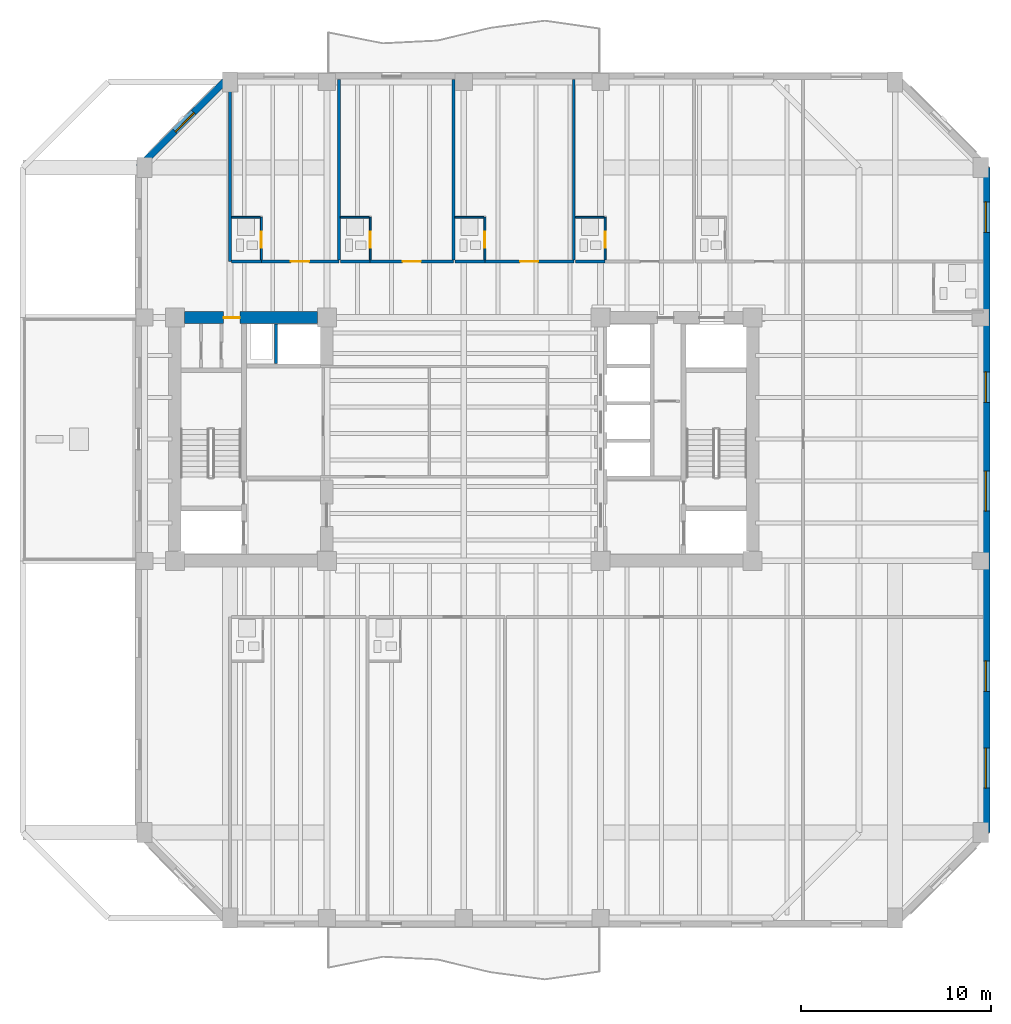
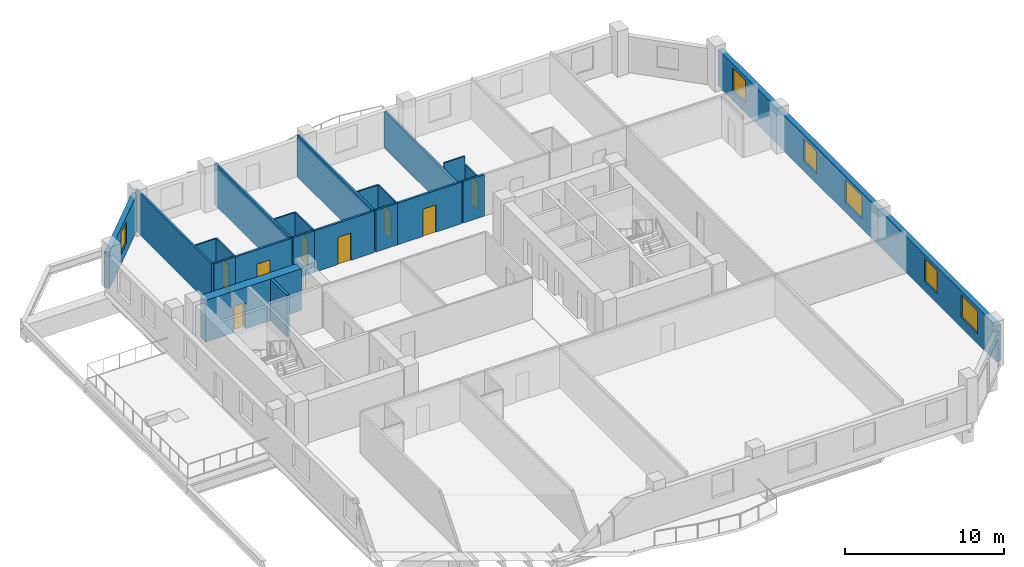
# One storey, part 5 of 11: 23 walls, 8 doors, 6 windows, 14 openings.
"""IFC4 building model written with IfcOpenShell, lengths in metres."""

from ifc_helpers import new_model, si_unit, direction, frame, frame_2d, origin, place, context, subcontext, project, spatial, rectangle, extrude, material, layer, layer_set, type_object, element, fill, save


model = new_model("IFC4")

# Units and contexts
model_context = context("Model", 3, precision=1e-05, world=origin(), true_north=direction((0.0, 1.0)))
body_context = subcontext(model_context, "Body", "Model", "MODEL_VIEW")
ifc_project = project(units=[si_unit("LENGTHUNIT", "METRE"), si_unit("AREAUNIT", "SQUARE_METRE"), si_unit("VOLUMEUNIT", "CUBIC_METRE"), si_unit("PLANEANGLEUNIT", "RADIAN"), si_unit("MASSUNIT", "GRAM", prefix="KILO")], contexts=[model_context])

# Site, building, storey
site_placement = place(None, origin())
site = spatial("IfcSite", under=ifc_project, at=site_placement, CompositionType="ELEMENT")
building_placement = place(site_placement, origin())
building = spatial("IfcBuilding", under=site, at=building_placement, Name="Kranthara Brick Stack", CompositionType="ELEMENT")
storey_placement = place(building_placement, frame((0.0, 0.0, 141.300048828125)))
storey = spatial("IfcBuildingStorey", under=building, at=storey_placement, Name="L35", CompositionType="ELEMENT", Elevation=141.300048828125)

# Wall, opening, window
ifc_material_1 = material(Name="Kiln-fired clay brick masonry M15", Category="masonry")
ifc_layer_1 = layer(ifc_material_1, 0.35009765625)
ifc_layer_set_1 = layer_set([ifc_layer_1], Name="Kiln-fired clay brick masonry M15")
wall_type_1 = type_object("IfcWallType", Name="WL-BRK-SPND-350", PredefinedType="STANDARD", material=ifc_layer_set_1)
wall_1_placement = place(storey_placement, frame((10.89501953125, 41.5, 0.0), z_axis=(0.0, 0.0, 1.0), x_axis=(0.707106781187, 0.707106781187, 0.0)))
wall_1 = element("IfcWall", 1, at=wall_1_placement, inside=storey, type_object=wall_type_1, Name="L35 Exterior Brick Facade Wall NW 1", PredefinedType="STANDARD", context=body_context, shape_type="SweptSolid", body=[
    extrude(rectangle(XDim=6.795166015625, YDim=0.35009765625, at=frame_2d((3.3974609375, 0.0))), origin(), (0.0, 0.0, 1.0), 2.784912109375),
])
opening_1_placement = place(wall_1_placement, frame((2.697998046875, 0.0, 0.75)))
opening_1 = element("IfcOpeningElement", 2, at=opening_1_placement, cuts=wall_1, Name="Opening WN10", PredefinedType="OPENING", context=body_context, shape_type="SweptSolid", body=[
    extrude(rectangle(XDim=1.39990234375, YDim=1.64990234375, at=frame_2d((0.699951171875, 0.824951171875))), frame((0.0, 0.18505859375, 0.0), z_axis=(0.0, -1.0, 0.0), x_axis=(1.0, 0.0, 0.0)), (0.0, 0.0, 1.0), 0.3701171875),
])
ifc_material_2 = material(Name="Double-glazed low-E solar control glass", Category="glass")
window_type_1 = type_object("IfcWindowType", Name="WN-CHM-1400x1750", PartitioningType="SINGLE_PANEL", PredefinedType="WINDOW", material=ifc_material_2)
window_1_placement = place(opening_1_placement, origin())
window_1 = element("IfcWindow", 3, at=window_1_placement, inside=storey, type_object=window_type_1, Name="L35 NW Chamfer Corner Window", OverallHeight=1.64990234375, OverallWidth=1.39990234375, PartitioningType="SINGLE_PANEL", PredefinedType="WINDOW", context=body_context, shape_type="SweptSolid", body=[
    extrude(rectangle(XDim=1.39990234375, YDim=1.64990234375, at=frame_2d((0.699951171875, 0.824951171875))), frame((0.0, -0.010009765625, 0.0), z_axis=(0.0, -1.0, 0.0), x_axis=(1.0, 0.0, 0.0)), (0.0, 0.0, 1.0), 0.06005859375),
])
fill(opening_1, window_1)

# Wall, openings, windows
wall_2_placement = place(storey_placement, frame((55.5048828125, 41.5, 0.0), z_axis=(0.0, 0.0, 1.0), x_axis=(0.0, -1.0, 0.0)))
wall_2 = element("IfcWall", 4, at=wall_2_placement, inside=storey, type_object=wall_type_1, Name="L35 Exterior Brick Facade Wall EAST 1", PredefinedType="STANDARD", context=body_context, shape_type="SweptSolid", body=[
    extrude(rectangle(XDim=35.0, YDim=0.35009765625, at=frame_2d((17.5, 0.0))), origin(), (0.0, 0.0, 1.0), 2.784912109375),
])
opening_2_placement = place(wall_2_placement, frame((1.81298828125, 0.0, 0.75)))
opening_2 = element("IfcOpeningElement", 5, at=opening_2_placement, cuts=wall_2, Name="Opening WN04", PredefinedType="OPENING", context=body_context, shape_type="SweptSolid", body=[
    extrude(rectangle(XDim=1.60009765625, YDim=1.75, at=frame_2d((0.800048828125, 0.875))), frame((0.0, 0.18505859375, 0.0), z_axis=(0.0, -1.0, 0.0), x_axis=(1.0, 0.0, 0.0)), (0.0, 0.0, 1.0), 0.3701171875),
])
opening_3_placement = place(wall_2_placement, frame((10.763916015625, 0.0, 0.75)))
opening_3 = element("IfcOpeningElement", 6, at=opening_3_placement, cuts=wall_2, Name="Opening WN04", PredefinedType="OPENING", context=body_context, shape_type="SweptSolid", body=[
    extrude(rectangle(XDim=1.60009765625, YDim=1.75, at=frame_2d((0.800048828125, 0.875))), frame((0.0, 0.18505859375, 0.0), z_axis=(0.0, -1.0, 0.0), x_axis=(1.0, 0.0, 0.0)), (0.0, 0.0, 1.0), 0.3701171875),
])
opening_4_placement = place(wall_2_placement, frame((15.986083984375, 0.0, 0.75)))
opening_4 = element("IfcOpeningElement", 7, at=opening_4_placement, cuts=wall_2, Name="Opening WN05", PredefinedType="OPENING", context=body_context, shape_type="SweptSolid", body=[
    extrude(rectangle(XDim=2.10009765625, YDim=1.75, at=frame_2d((1.050048828125, 0.875))), frame((0.0, 0.18505859375, 0.0), z_axis=(0.0, -1.0, 0.0), x_axis=(1.0, 0.0, 0.0)), (0.0, 0.0, 1.0), 0.3701171875),
])
opening_5_placement = place(wall_2_placement, frame((25.969970703125, 0.0, 0.75)))
opening_5 = element("IfcOpeningElement", 8, at=opening_5_placement, cuts=wall_2, Name="Opening WN04", PredefinedType="OPENING", context=body_context, shape_type="SweptSolid", body=[
    extrude(rectangle(XDim=1.60009765625, YDim=1.75, at=frame_2d((0.800048828125, 0.875))), frame((0.0, 0.18505859375, 0.0), z_axis=(0.0, -1.0, 0.0), x_axis=(1.0, 0.0, 0.0)), (0.0, 0.0, 1.0), 0.3701171875),
])
opening_6_placement = place(wall_2_placement, frame((30.554931640625, 0.0, 0.75)))
opening_6 = element("IfcOpeningElement", 9, at=opening_6_placement, cuts=wall_2, Name="Opening WN05", PredefinedType="OPENING", context=body_context, shape_type="SweptSolid", body=[
    extrude(rectangle(XDim=2.10009765625, YDim=1.75, at=frame_2d((1.050048828125, 0.875))), frame((0.0, 0.18505859375, 0.0), z_axis=(0.0, -1.0, 0.0), x_axis=(1.0, 0.0, 0.0)), (0.0, 0.0, 1.0), 0.3701171875),
])
ifc_material_3 = material(Name="Double-glazed low-E solar control glass", Category="glass")
window_type_2 = type_object("IfcWindowType", Name="WN-HTL-1600x1850", PartitioningType="DOUBLE_PANEL_VERTICAL", PredefinedType="WINDOW", material=ifc_material_3)
window_2_placement = place(opening_2_placement, origin())
window_2 = element("IfcWindow", 10, at=window_2_placement, inside=storey, type_object=window_type_2, Name="L35 East Deep-Set Brick Window 01", OverallHeight=1.75, OverallWidth=1.60009765625, PartitioningType="SINGLE_PANEL", PredefinedType="WINDOW", context=body_context, shape_type="SweptSolid", body=[
    extrude(rectangle(XDim=1.60009765625, YDim=1.75, at=frame_2d((0.800048828125, 0.875))), frame((0.0, -0.010009765625, 0.0), z_axis=(0.0, -1.0, 0.0), x_axis=(1.0, 0.0, 0.0)), (0.0, 0.0, 1.0), 0.06005859375),
])
fill(opening_2, window_2)
window_3_placement = place(opening_3_placement, origin())
window_3 = element("IfcWindow", 11, at=window_3_placement, inside=storey, type_object=window_type_2, Name="L35 East Deep-Set Brick Window 02", OverallHeight=1.75, OverallWidth=1.60009765625, PartitioningType="SINGLE_PANEL", PredefinedType="WINDOW", context=body_context, shape_type="SweptSolid", body=[
    extrude(rectangle(XDim=1.60009765625, YDim=1.75, at=frame_2d((0.800048828125, 0.875))), frame((0.0, -0.010009765625, 0.0), z_axis=(0.0, -1.0, 0.0), x_axis=(1.0, 0.0, 0.0)), (0.0, 0.0, 1.0), 0.06005859375),
])
fill(opening_3, window_3)
window_4_placement = place(opening_5_placement, origin())
window_4 = element("IfcWindow", 12, at=window_4_placement, inside=storey, type_object=window_type_2, Name="L35 East Deep-Set Brick Window 04", OverallHeight=1.75, OverallWidth=1.60009765625, PartitioningType="SINGLE_PANEL", PredefinedType="WINDOW", context=body_context, shape_type="SweptSolid", body=[
    extrude(rectangle(XDim=1.60009765625, YDim=1.75, at=frame_2d((0.800048828125, 0.875))), frame((0.0, -0.010009765625, 0.0), z_axis=(0.0, -1.0, 0.0), x_axis=(1.0, 0.0, 0.0)), (0.0, 0.0, 1.0), 0.06005859375),
])
fill(opening_5, window_4)
ifc_material_4 = material(Name="Double-glazed low-E solar control glass", Category="glass")
window_type_3 = type_object("IfcWindowType", Name="WN-HTL-2100x1850", PartitioningType="DOUBLE_PANEL_VERTICAL", PredefinedType="WINDOW", material=ifc_material_4)
window_5_placement = place(opening_4_placement, origin())
window_5 = element("IfcWindow", 13, at=window_5_placement, inside=storey, type_object=window_type_3, Name="L35 East Deep-Set Brick Window 03", OverallHeight=1.75, OverallWidth=2.10009765625, PartitioningType="SINGLE_PANEL", PredefinedType="WINDOW", context=body_context, shape_type="SweptSolid", body=[
    extrude(rectangle(XDim=2.10009765625, YDim=1.75, at=frame_2d((1.050048828125, 0.875))), frame((0.0, -0.010009765625, 0.0), z_axis=(0.0, -1.0, 0.0), x_axis=(1.0, 0.0, 0.0)), (0.0, 0.0, 1.0), 0.06005859375),
])
fill(opening_4, window_5)
window_6_placement = place(opening_6_placement, origin())
window_6 = element("IfcWindow", 14, at=window_6_placement, inside=storey, type_object=window_type_3, Name="L35 East Deep-Set Brick Window 05", OverallHeight=1.75, OverallWidth=2.10009765625, PartitioningType="SINGLE_PANEL", PredefinedType="WINDOW", context=body_context, shape_type="SweptSolid", body=[
    extrude(rectangle(XDim=2.10009765625, YDim=1.75, at=frame_2d((1.050048828125, 0.875))), frame((0.0, -0.010009765625, 0.0), z_axis=(0.0, -1.0, 0.0), x_axis=(1.0, 0.0, 0.0)), (0.0, 0.0, 1.0), 0.06005859375),
])
fill(opening_6, window_6)

# Wall, opening, door
ifc_material_5 = material(Name="Concrete C60/75", Category="concrete")
ifc_layer_2 = layer(ifc_material_5, 0.64990234375)
ifc_layer_set_2 = layer_set([ifc_layer_2], Name="Concrete C60/75")
wall_type_2 = type_object("IfcWallType", Name="WL-CORE-650", PredefinedType="SHEAR", material=ifc_layer_set_2)
wall_3_placement = place(storey_placement, frame((13.304931640625, 33.60009765625, 0.0), z_axis=(0.0, 0.0, 1.0), x_axis=(1.0, 0.0, 0.0)))
wall_3 = element("IfcWall", 15, at=wall_3_placement, inside=storey, type_object=wall_type_2, Name="L35 West Core Shear Wall North", PredefinedType="SHEAR", context=body_context, shape_type="SweptSolid", body=[
    extrude(rectangle(XDim=6.989990234375, YDim=0.64990234375, at=frame_2d((3.4951171875, 0.0))), origin(), (0.0, 0.0, 1.0), 3.199951171875),
])
opening_7_placement = place(wall_3_placement, frame((2.06494140625, 0.0, 0.0)))
opening_7 = element("IfcOpeningElement", 16, at=opening_7_placement, cuts=wall_3, Name="Opening D10", PredefinedType="OPENING", context=body_context, shape_type="SweptSolid", body=[
    extrude(rectangle(XDim=0.85009765625, YDim=2.02001953125, at=frame_2d((0.425048828125, 1.010009765625))), frame((0.0, 0.3349609375, 0.0), z_axis=(0.0, -1.0, 0.0), x_axis=(1.0, 0.0, 0.0)), (0.0, 0.0, 1.0), 0.669921875),
])
ifc_material_6 = material(Name="Solid-core hardwood timber leaf in steel frame", Category="steel")
door_type_1 = type_object("IfcDoorType", Name="DR-RSR-850", OperationType="NOTDEFINED", PredefinedType="DOOR", material=ifc_material_6)
door_1_placement = place(opening_7_placement, origin())
door_1 = element("IfcDoor", 17, at=door_1_placement, inside=storey, type_object=door_type_1, Name="L35 West Core Service Door 1", OperationType="SINGLE_SWING_RIGHT", OverallHeight=2.02001953125, OverallWidth=0.85009765625, PredefinedType="DOOR", context=body_context, shape_type="SweptSolid", body=[
    extrude(rectangle(XDim=0.85009765625, YDim=2.02001953125, at=frame_2d((0.425048828125, 1.010009765625))), frame((0.0, 0.02490234375, 0.0), z_axis=(0.0, -1.0, 0.0), x_axis=(1.0, 0.0, 0.0)), (0.0, 0.0, 1.0), 0.050048828125),
])
fill(opening_7, door_1)

ifc_material_7 = material(Name="Moisture-resistant wet-room partition", Category="other")
ifc_layer_3 = layer(ifc_material_7, 0.10009765625)
ifc_layer_set_3 = layer_set([ifc_layer_3], Name="Moisture-resistant wet-room partition")
wall_type_3 = type_object("IfcWallType", Name="WL-PART-100", PredefinedType="PARTITIONING", material=ifc_layer_set_3)
wall_4_placement = place(storey_placement, frame((17.35009765625, 36.6298828125, 0.0), z_axis=(0.0, 0.0, 1.0), x_axis=(0.0, 1.0, 0.0)))
wall_4 = element("IfcWall", 18, at=wall_4_placement, inside=storey, type_object=wall_type_3, Name="L35 Interior Partition 025", PredefinedType="PARTITIONING", context=body_context, shape_type="SweptSolid", body=[
    extrude(rectangle(XDim=2.25, YDim=0.10009765625, at=frame_2d((1.125, 0.0))), origin(), (0.0, 0.0, 1.0), 3.199951171875),
])
opening_8_placement = place(wall_4_placement, frame((0.639892578125, 0.0, 0.0)))
opening_8 = element("IfcOpeningElement", 19, at=opening_8_placement, cuts=wall_4, Name="Opening D17", PredefinedType="OPENING", context=body_context, shape_type="SweptSolid", body=[
    extrude(rectangle(XDim=0.85009765625, YDim=2.050048828125, at=frame_2d((0.425048828125, 1.02490234375))), frame((0.0, 0.06005859375, 0.0), z_axis=(0.0, -1.0, 0.0), x_axis=(1.0, 0.0, 0.0)), (0.0, 0.0, 1.0), 0.1201171875),
])
ifc_material_8 = material(Name="Solid-core hardwood timber leaf in steel frame", Category="steel")
door_type_2 = type_object("IfcDoorType", Name="DR-WET-850", OperationType="NOTDEFINED", PredefinedType="DOOR", material=ifc_material_8)
door_2_placement = place(opening_8_placement, origin())
door_2 = element("IfcDoor", 20, at=door_2_placement, inside=storey, type_object=door_type_2, Name="L35 Key 04 En-Suite Door 12", OperationType="SINGLE_SWING_RIGHT", OverallHeight=2.050048828125, OverallWidth=0.85009765625, PredefinedType="DOOR", context=body_context, shape_type="SweptSolid", body=[
    extrude(rectangle(XDim=0.85009765625, YDim=2.050048828125, at=frame_2d((0.425048828125, 1.02490234375))), frame((0.0, 0.02490234375, 0.0), z_axis=(0.0, -1.0, 0.0), x_axis=(1.0, 0.0, 0.0)), (0.0, 0.0, 1.0), 0.050048828125),
])
fill(opening_8, door_2)

# Wall
wall_5_placement = place(storey_placement, frame((15.780029296875, 38.8798828125, 0.0), z_axis=(0.0, 0.0, 1.0), x_axis=(1.0, 0.0, 0.0)))
element("IfcWall", 21, at=wall_5_placement, inside=storey, type_object=wall_type_3, Name="L35 Interior Partition 026", PredefinedType="PARTITIONING", context=body_context, shape_type="SweptSolid", body=[
    extrude(rectangle(XDim=1.514892578125, YDim=0.10009765625, at=frame_2d((0.75732421875, 0.0))), origin(), (0.0, 0.0, 1.0), 3.199951171875),
])

# Wall, opening, door
wall_6_placement = place(storey_placement, frame((23.077880859375, 36.6298828125, 0.0), z_axis=(0.0, 0.0, 1.0), x_axis=(0.0, 1.0, 0.0)))
wall_6 = element("IfcWall", 22, at=wall_6_placement, inside=storey, type_object=wall_type_3, Name="L35 Interior Partition 030", PredefinedType="PARTITIONING", context=body_context, shape_type="SweptSolid", body=[
    extrude(rectangle(XDim=2.25, YDim=0.10009765625, at=frame_2d((1.125, 0.0))), origin(), (0.0, 0.0, 1.0), 3.199951171875),
])
opening_9_placement = place(wall_6_placement, frame((0.639892578125, 0.0, 0.0)))
opening_9 = element("IfcOpeningElement", 23, at=opening_9_placement, cuts=wall_6, Name="Opening D17", PredefinedType="OPENING", context=body_context, shape_type="SweptSolid", body=[
    extrude(rectangle(XDim=0.85009765625, YDim=2.050048828125, at=frame_2d((0.425048828125, 1.02490234375))), frame((0.0, 0.06005859375, 0.0), z_axis=(0.0, -1.0, 0.0), x_axis=(1.0, 0.0, 0.0)), (0.0, 0.0, 1.0), 0.1201171875),
])
door_3_placement = place(opening_9_placement, origin())
door_3 = element("IfcDoor", 24, at=door_3_placement, inside=storey, type_object=door_type_2, Name="L35 Key 05 En-Suite Door 14", OperationType="SINGLE_SWING_RIGHT", OverallHeight=2.050048828125, OverallWidth=0.85009765625, PredefinedType="DOOR", context=body_context, shape_type="SweptSolid", body=[
    extrude(rectangle(XDim=0.85009765625, YDim=2.050048828125, at=frame_2d((0.425048828125, 1.02490234375))), frame((0.0, 0.02490234375, 0.0), z_axis=(0.0, -1.0, 0.0), x_axis=(1.0, 0.0, 0.0)), (0.0, 0.0, 1.0), 0.050048828125),
])
fill(opening_9, door_3)

# Wall
wall_7_placement = place(storey_placement, frame((21.508056640625, 38.8798828125, 0.0), z_axis=(0.0, 0.0, 1.0), x_axis=(1.0, 0.0, 0.0)))
element("IfcWall", 25, at=wall_7_placement, inside=storey, type_object=wall_type_3, Name="L35 Interior Partition 031", PredefinedType="PARTITIONING", context=body_context, shape_type="SweptSolid", body=[
    extrude(rectangle(XDim=1.514892578125, YDim=0.10009765625, at=frame_2d((0.75732421875, 0.0))), origin(), (0.0, 0.0, 1.0), 3.199951171875),
])

# Wall, opening, door
wall_8_placement = place(storey_placement, frame((29.10888671875, 36.6298828125, 0.0), z_axis=(0.0, 0.0, 1.0), x_axis=(0.0, 1.0, 0.0)))
wall_8 = element("IfcWall", 26, at=wall_8_placement, inside=storey, type_object=wall_type_3, Name="L35 Interior Partition 035", PredefinedType="PARTITIONING", context=body_context, shape_type="SweptSolid", body=[
    extrude(rectangle(XDim=2.25, YDim=0.10009765625, at=frame_2d((1.125, 0.0))), origin(), (0.0, 0.0, 1.0), 3.199951171875),
])
opening_10_placement = place(wall_8_placement, frame((0.639892578125, 0.0, 0.0)))
opening_10 = element("IfcOpeningElement", 27, at=opening_10_placement, cuts=wall_8, Name="Opening D17", PredefinedType="OPENING", context=body_context, shape_type="SweptSolid", body=[
    extrude(rectangle(XDim=0.85009765625, YDim=2.050048828125, at=frame_2d((0.425048828125, 1.02490234375))), frame((0.0, 0.06005859375, 0.0), z_axis=(0.0, -1.0, 0.0), x_axis=(1.0, 0.0, 0.0)), (0.0, 0.0, 1.0), 0.1201171875),
])
door_4_placement = place(opening_10_placement, origin())
door_4 = element("IfcDoor", 28, at=door_4_placement, inside=storey, type_object=door_type_2, Name="L35 Key 06 En-Suite Door 16", OperationType="SINGLE_SWING_RIGHT", OverallHeight=2.050048828125, OverallWidth=0.85009765625, PredefinedType="DOOR", context=body_context, shape_type="SweptSolid", body=[
    extrude(rectangle(XDim=0.85009765625, YDim=2.050048828125, at=frame_2d((0.425048828125, 1.02490234375))), frame((0.0, 0.02490234375, 0.0), z_axis=(0.0, -1.0, 0.0), x_axis=(1.0, 0.0, 0.0)), (0.0, 0.0, 1.0), 0.050048828125),
])
fill(opening_10, door_4)

# Wall
wall_9_placement = place(storey_placement, frame((27.5390625, 38.8798828125, 0.0), z_axis=(0.0, 0.0, 1.0), x_axis=(1.0, 0.0, 0.0)))
element("IfcWall", 29, at=wall_9_placement, inside=storey, type_object=wall_type_3, Name="L35 Interior Partition 036", PredefinedType="PARTITIONING", context=body_context, shape_type="SweptSolid", body=[
    extrude(rectangle(XDim=1.514892578125, YDim=0.10009765625, at=frame_2d((0.75732421875, 0.0))), origin(), (0.0, 0.0, 1.0), 3.199951171875),
])

# Wall, opening, door
wall_10_placement = place(storey_placement, frame((35.43994140625, 36.6298828125, 0.0), z_axis=(0.0, 0.0, 1.0), x_axis=(0.0, 1.0, 0.0)))
wall_10 = element("IfcWall", 30, at=wall_10_placement, inside=storey, type_object=wall_type_3, Name="L35 Interior Partition 040", PredefinedType="PARTITIONING", context=body_context, shape_type="SweptSolid", body=[
    extrude(rectangle(XDim=2.25, YDim=0.10009765625, at=frame_2d((1.125, 0.0))), origin(), (0.0, 0.0, 1.0), 2.534912109375),
])
opening_11_placement = place(wall_10_placement, frame((0.639892578125, 0.0, 0.0)))
opening_11 = element("IfcOpeningElement", 31, at=opening_11_placement, cuts=wall_10, Name="Opening D17", PredefinedType="OPENING", context=body_context, shape_type="SweptSolid", body=[
    extrude(rectangle(XDim=0.85009765625, YDim=2.050048828125, at=frame_2d((0.425048828125, 1.02490234375))), frame((0.0, 0.06005859375, 0.0), z_axis=(0.0, -1.0, 0.0), x_axis=(1.0, 0.0, 0.0)), (0.0, 0.0, 1.0), 0.1201171875),
])
door_5_placement = place(opening_11_placement, origin())
door_5 = element("IfcDoor", 32, at=door_5_placement, inside=storey, type_object=door_type_2, Name="L35 Key 07 En-Suite Door 18", OperationType="SINGLE_SWING_RIGHT", OverallHeight=2.050048828125, OverallWidth=0.85009765625, PredefinedType="DOOR", context=body_context, shape_type="SweptSolid", body=[
    extrude(rectangle(XDim=0.85009765625, YDim=2.050048828125, at=frame_2d((0.425048828125, 1.02490234375))), frame((0.0, 0.02490234375, 0.0), z_axis=(0.0, -1.0, 0.0), x_axis=(1.0, 0.0, 0.0)), (0.0, 0.0, 1.0), 0.050048828125),
])
fill(opening_11, door_5)

# Walls
wall_11_placement = place(storey_placement, frame((33.8701171875, 38.8798828125, 0.0), z_axis=(0.0, 0.0, 1.0), x_axis=(1.0, 0.0, 0.0)))
element("IfcWall", 33, at=wall_11_placement, inside=storey, type_object=wall_type_3, Name="L35 Interior Partition 041", PredefinedType="PARTITIONING", context=body_context, shape_type="SweptSolid", body=[
    extrude(rectangle(XDim=1.514892578125, YDim=0.10009765625, at=frame_2d((0.75732421875, 0.0))), origin(), (0.0, 0.0, 1.0), 3.199951171875),
])
ifc_material_9 = material(Name="Fire-rated gypsum board partition", Category="other")
ifc_layer_4 = layer(ifc_material_9, 0.14990234375)
ifc_layer_set_4 = layer_set([ifc_layer_4], Name="Fire-rated gypsum board partition")
wall_type_4 = type_object("IfcWallType", Name="WL-PART-150", PredefinedType="PARTITIONING", material=ifc_layer_set_4)
wall_12_placement = place(storey_placement, frame((15.699951171875, 36.550048828125, 0.0), z_axis=(0.0, 0.0, 1.0), x_axis=(0.0, 1.0, 0.0)))
element("IfcWall", 34, at=wall_12_placement, inside=storey, type_object=wall_type_4, Name="L35 Interior Partition 022", PredefinedType="PARTITIONING", context=body_context, shape_type="SweptSolid", body=[
    extrude(rectangle(XDim=9.574951171875, YDim=0.14990234375, at=frame_2d((4.78759765625, 0.0))), origin(), (0.0, 0.0, 1.0), 3.199951171875),
])
wall_13_placement = place(storey_placement, frame((15.780029296875, 36.550048828125, 0.0), z_axis=(0.0, 0.0, 1.0), x_axis=(1.0, 0.0, 0.0)))
element("IfcWall", 35, at=wall_13_placement, inside=storey, type_object=wall_type_4, Name="L35 Interior Partition 023", PredefinedType="PARTITIONING", context=body_context, shape_type="SweptSolid", body=[
    extrude(rectangle(XDim=1.570068359375, YDim=0.14990234375, at=frame_2d((0.78515625, 0.0))), origin(), (0.0, 0.0, 1.0), 3.199951171875),
])

# Wall, opening, door
wall_14_placement = place(storey_placement, frame((17.35009765625, 36.550048828125, 0.0), z_axis=(0.0, 0.0, 1.0), x_axis=(1.0, 0.0, 0.0)))
wall_14 = element("IfcWall", 36, at=wall_14_placement, inside=storey, type_object=wall_type_4, Name="L35 Interior Partition 024", PredefinedType="PARTITIONING", context=body_context, shape_type="SweptSolid", body=[
    extrude(rectangle(XDim=4.077880859375, YDim=0.14990234375, at=frame_2d((2.0390625, 0.0))), origin(), (0.0, 0.0, 1.0), 3.199951171875),
])
opening_12_placement = place(wall_14_placement, frame((1.55908203125, 0.0, 0.0)))
opening_12 = element("IfcOpeningElement", 37, at=opening_12_placement, cuts=wall_14, Name="Opening D09", PredefinedType="OPENING", context=body_context, shape_type="SweptSolid", body=[
    extrude(rectangle(XDim=0.949951171875, YDim=2.10009765625, at=frame_2d((0.47509765625, 1.050048828125))), frame((0.0, 0.0849609375, 0.0), z_axis=(0.0, -1.0, 0.0), x_axis=(1.0, 0.0, 0.0)), (0.0, 0.0, 1.0), 0.169921875),
])
ifc_material_10 = material(Name="Solid-core hardwood timber leaf in steel frame", Category="steel")
door_type_3 = type_object("IfcDoorType", Name="DR-FD-950", OperationType="NOTDEFINED", PredefinedType="DOOR", material=ifc_material_10)
door_6_placement = place(opening_12_placement, origin())
door_6 = element("IfcDoor", 38, at=door_6_placement, inside=storey, type_object=door_type_3, Name="L35 Key 04 Entry 13", OperationType="SINGLE_SWING_LEFT", OverallHeight=2.10009765625, OverallWidth=0.949951171875, PredefinedType="DOOR", context=body_context, shape_type="SweptSolid", body=[
    extrude(rectangle(XDim=0.949951171875, YDim=2.10009765625, at=frame_2d((0.47509765625, 1.050048828125))), frame((0.0, 0.02490234375, 0.0), z_axis=(0.0, -1.0, 0.0), x_axis=(1.0, 0.0, 0.0)), (0.0, 0.0, 1.0), 0.050048828125),
])
fill(opening_12, door_6)

# Walls
wall_15_placement = place(storey_placement, frame((21.427978515625, 36.6298828125, 0.0), z_axis=(0.0, 0.0, 1.0), x_axis=(0.0, 1.0, 0.0)))
element("IfcWall", 39, at=wall_15_placement, inside=storey, type_object=wall_type_4, Name="L35 Interior Partition 027", PredefinedType="PARTITIONING", context=body_context, shape_type="SweptSolid", body=[
    extrude(rectangle(XDim=9.4951171875, YDim=0.14990234375, at=frame_2d((4.74755859375, 0.0))), origin(), (0.0, 0.0, 1.0), 3.199951171875),
])
wall_16_placement = place(storey_placement, frame((21.508056640625, 36.550048828125, 0.0), z_axis=(0.0, 0.0, 1.0), x_axis=(1.0, 0.0, 0.0)))
element("IfcWall", 40, at=wall_16_placement, inside=storey, type_object=wall_type_4, Name="L35 Interior Partition 028", PredefinedType="PARTITIONING", context=body_context, shape_type="SweptSolid", body=[
    extrude(rectangle(XDim=1.56982421875, YDim=0.14990234375, at=frame_2d((0.784912109375, 0.0))), origin(), (0.0, 0.0, 1.0), 3.199951171875),
])

# Wall, opening, door
wall_17_placement = place(storey_placement, frame((23.077880859375, 36.550048828125, 0.0), z_axis=(0.0, 0.0, 1.0), x_axis=(1.0, 0.0, 0.0)))
wall_17 = element("IfcWall", 41, at=wall_17_placement, inside=storey, type_object=wall_type_4, Name="L35 Interior Partition 029", PredefinedType="PARTITIONING", context=body_context, shape_type="SweptSolid", body=[
    extrude(rectangle(XDim=4.381103515625, YDim=0.14990234375, at=frame_2d((2.1904296875, 0.0))), origin(), (0.0, 0.0, 1.0), 3.199951171875),
])
opening_13_placement = place(wall_17_placement, frame((1.7099609375, 0.0, 0.0)))
opening_13 = element("IfcOpeningElement", 42, at=opening_13_placement, cuts=wall_17, Name="Opening D09", PredefinedType="OPENING", context=body_context, shape_type="SweptSolid", body=[
    extrude(rectangle(XDim=0.949951171875, YDim=2.10009765625, at=frame_2d((0.47509765625, 1.050048828125))), frame((0.0, 0.0849609375, 0.0), z_axis=(0.0, -1.0, 0.0), x_axis=(1.0, 0.0, 0.0)), (0.0, 0.0, 1.0), 0.169921875),
])
door_7_placement = place(opening_13_placement, origin())
door_7 = element("IfcDoor", 43, at=door_7_placement, inside=storey, type_object=door_type_3, Name="L35 Key 05 Entry 15", OperationType="SINGLE_SWING_LEFT", OverallHeight=2.10009765625, OverallWidth=0.949951171875, PredefinedType="DOOR", context=body_context, shape_type="SweptSolid", body=[
    extrude(rectangle(XDim=0.949951171875, YDim=2.10009765625, at=frame_2d((0.47509765625, 1.050048828125))), frame((0.0, 0.02490234375, 0.0), z_axis=(0.0, -1.0, 0.0), x_axis=(1.0, 0.0, 0.0)), (0.0, 0.0, 1.0), 0.050048828125),
])
fill(opening_13, door_7)

# Walls
wall_18_placement = place(storey_placement, frame((27.458984375, 36.6298828125, 0.0), z_axis=(0.0, 0.0, 1.0), x_axis=(0.0, 1.0, 0.0)))
element("IfcWall", 44, at=wall_18_placement, inside=storey, type_object=wall_type_4, Name="L35 Interior Partition 032", PredefinedType="PARTITIONING", context=body_context, shape_type="SweptSolid", body=[
    extrude(rectangle(XDim=9.4951171875, YDim=0.14990234375, at=frame_2d((4.74755859375, 0.0))), origin(), (0.0, 0.0, 1.0), 3.199951171875),
])
wall_19_placement = place(storey_placement, frame((27.5390625, 36.550048828125, 0.0), z_axis=(0.0, 0.0, 1.0), x_axis=(1.0, 0.0, 0.0)))
element("IfcWall", 45, at=wall_19_placement, inside=storey, type_object=wall_type_4, Name="L35 Interior Partition 033", PredefinedType="PARTITIONING", context=body_context, shape_type="SweptSolid", body=[
    extrude(rectangle(XDim=1.56982421875, YDim=0.14990234375, at=frame_2d((0.784912109375, 0.0))), origin(), (0.0, 0.0, 1.0), 3.199951171875),
])

# Wall, opening, door
wall_20_placement = place(storey_placement, frame((29.10888671875, 36.550048828125, 0.0), z_axis=(0.0, 0.0, 1.0), x_axis=(1.0, 0.0, 0.0)))
wall_20 = element("IfcWall", 46, at=wall_20_placement, inside=storey, type_object=wall_type_4, Name="L35 Interior Partition 034", PredefinedType="PARTITIONING", context=body_context, shape_type="SweptSolid", body=[
    extrude(rectangle(XDim=4.68115234375, YDim=0.14990234375, at=frame_2d((2.340576171875, 0.0))), origin(), (0.0, 0.0, 1.0), 3.199951171875),
])
opening_14_placement = place(wall_20_placement, frame((1.861083984375, 0.0, 0.0)))
opening_14 = element("IfcOpeningElement", 47, at=opening_14_placement, cuts=wall_20, Name="Opening D09", PredefinedType="OPENING", context=body_context, shape_type="SweptSolid", body=[
    extrude(rectangle(XDim=0.949951171875, YDim=2.10009765625, at=frame_2d((0.47509765625, 1.050048828125))), frame((0.0, 0.0849609375, 0.0), z_axis=(0.0, -1.0, 0.0), x_axis=(1.0, 0.0, 0.0)), (0.0, 0.0, 1.0), 0.169921875),
])
door_8_placement = place(opening_14_placement, origin())
door_8 = element("IfcDoor", 48, at=door_8_placement, inside=storey, type_object=door_type_3, Name="L35 Key 06 Entry 17", OperationType="SINGLE_SWING_LEFT", OverallHeight=2.10009765625, OverallWidth=0.949951171875, PredefinedType="DOOR", context=body_context, shape_type="SweptSolid", body=[
    extrude(rectangle(XDim=0.949951171875, YDim=2.10009765625, at=frame_2d((0.47509765625, 1.050048828125))), frame((0.0, 0.02490234375, 0.0), z_axis=(0.0, -1.0, 0.0), x_axis=(1.0, 0.0, 0.0)), (0.0, 0.0, 1.0), 0.050048828125),
])
fill(opening_14, door_8)

# Walls
wall_21_placement = place(storey_placement, frame((33.7900390625, 36.6298828125, 0.0), z_axis=(0.0, 0.0, 1.0), x_axis=(0.0, 1.0, 0.0)))
element("IfcWall", 49, at=wall_21_placement, inside=storey, type_object=wall_type_4, Name="L35 Interior Partition 037", PredefinedType="PARTITIONING", context=body_context, shape_type="SweptSolid", body=[
    extrude(rectangle(XDim=9.4951171875, YDim=0.14990234375, at=frame_2d((4.74755859375, 0.0))), origin(), (0.0, 0.0, 1.0), 2.784912109375),
])
wall_22_placement = place(storey_placement, frame((33.8701171875, 36.550048828125, 0.0), z_axis=(0.0, 0.0, 1.0), x_axis=(1.0, 0.0, 0.0)))
element("IfcWall", 50, at=wall_22_placement, inside=storey, type_object=wall_type_4, Name="L35 Interior Partition 038", PredefinedType="PARTITIONING", context=body_context, shape_type="SweptSolid", body=[
    extrude(rectangle(XDim=1.56982421875, YDim=0.14990234375, at=frame_2d((0.784912109375, 0.0))), origin(), (0.0, 0.0, 1.0), 3.199951171875),
])
ifc_material_11 = material(Name="Gypsum plasterboard on acoustic twin stud", Category="other")
ifc_layer_5 = layer(ifc_material_11, 0.179931640625)
ifc_layer_set_5 = layer_set([ifc_layer_5], Name="Gypsum plasterboard on acoustic twin stud")
wall_type_5 = type_object("IfcWallType", Name="WL-PART-180", PredefinedType="PARTITIONING", material=ifc_layer_set_5)
wall_23_placement = place(storey_placement, frame((18.1201171875, 31.169921875, 0.0), z_axis=(0.0, 0.0, 1.0), x_axis=(0.0, 1.0, 0.0)))
element("IfcWall", 51, at=wall_23_placement, inside=storey, type_object=wall_type_5, Name="L35 PL-07 Shaft Back Wall", PredefinedType="PARTITIONING", context=body_context, shape_type="SweptSolid", body=[
    extrude(rectangle(XDim=2.094970703125, YDim=0.179931640625, at=frame_2d((1.04736328125, 0.0))), origin(), (0.0, 0.0, 1.0), 3.199951171875),
])

save(model, "model.ifc")
